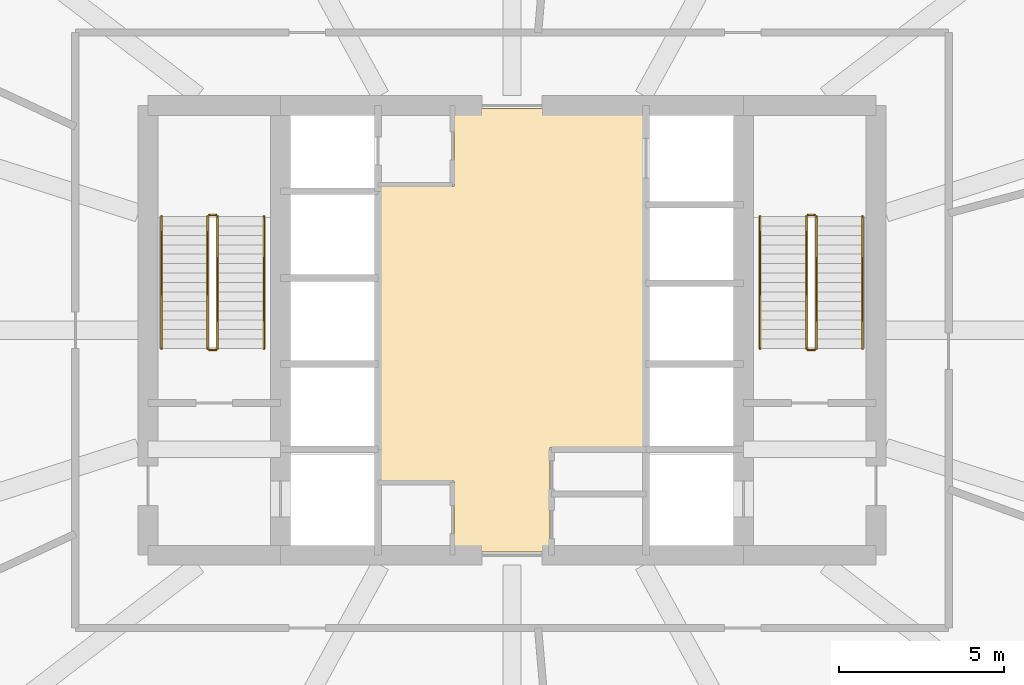
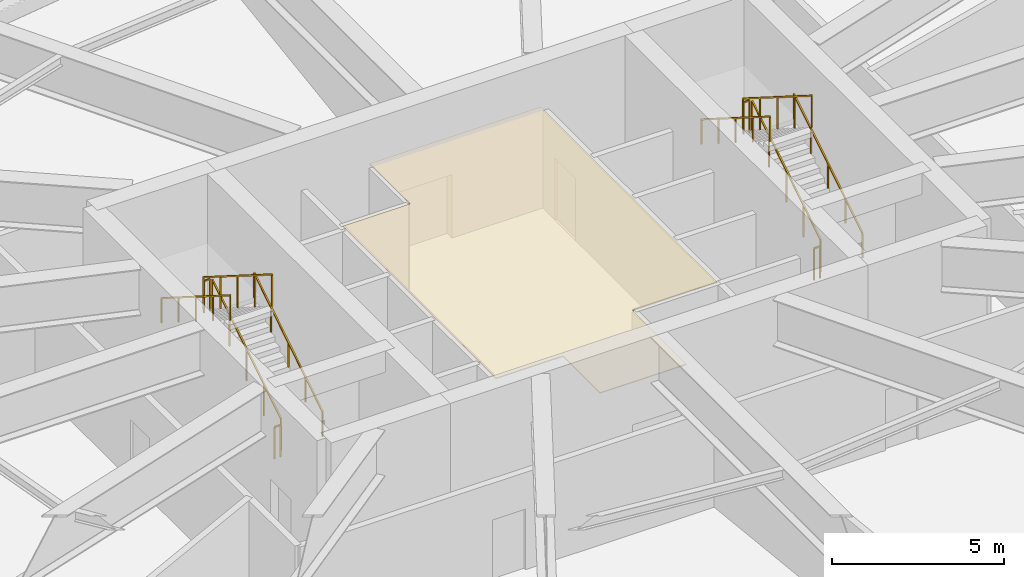
# One storey, part 7 of 7: 12 railings, 1 covering.
"""IFC4 building model written with IfcOpenShell, lengths in metres."""

from ifc_helpers import new_model, si_unit, direction, frame, origin, origin_2d, place, context, subcontext, project, spatial, polyline, rectangle, outline, extrude, material, layer, layer_set, type_object, element, save


model = new_model("IFC4")

# Units and contexts
model_context = context("Model", 3, precision=1e-05, world=origin(), true_north=direction((0.0, 1.0)))
body_context = subcontext(model_context, "Body", "Model", "MODEL_VIEW")
ifc_project = project(units=[si_unit("LENGTHUNIT", "METRE"), si_unit("AREAUNIT", "SQUARE_METRE"), si_unit("VOLUMEUNIT", "CUBIC_METRE"), si_unit("PLANEANGLEUNIT", "RADIAN"), si_unit("MASSUNIT", "GRAM", prefix="KILO")], contexts=[model_context])

# Site, building, storey
site_placement = place(None, origin())
site = spatial("IfcSite", under=ifc_project, at=site_placement, CompositionType="ELEMENT")
building_placement = place(site_placement, origin())
building = spatial("IfcBuilding", under=site, at=building_placement, Name="Sarneth Arch Tower", CompositionType="ELEMENT")
storey_placement = place(building_placement, frame((0.0, 0.0, 78.60009765625)))
storey = spatial("IfcBuildingStorey", under=building, at=storey_placement, Name="L19", CompositionType="ELEMENT", Elevation=78.60009765625)

# Covering
ifc_material_1 = material(Name="Perforated acoustic gypsum ceiling board")
ifc_layer = layer(ifc_material_1, 0.02490234375)
ifc_layer_set = layer_set([ifc_layer], Name="Perforated acoustic gypsum ceiling board")
covering_type = type_object("IfcCoveringType", Name="COV-CEIL-GYP", PredefinedType="CEILING", material=ifc_layer_set)
covering_placement = place(storey_placement, frame((0.0, 0.0, 3.419921875)))
element("IfcCovering", 1, at=covering_placement, inside=storey, type_object=covering_type, Name="L19 Lift lobby acoustic ceiling", PredefinedType="CEILING", context=body_context, shape_type="SweptSolid", body=[
    extrude(outline(polyline([(49.14990234375, 38.449951171875), (49.14990234375, 35.300048828125), (46.25, 35.300048828125), (46.25, 37.449951171875), (44.0, 37.449951171875), (44.0, 46.35009765625), (46.25, 46.35009765625), (46.25, 48.699951171875), (52.0, 48.699951171875), (52.0, 38.449951171875), (49.14990234375, 38.449951171875)])), origin(), (0.0, 0.0, 1.0), 0.030029296875),
])

# Railings
ifc_material_2 = material(Name="Brushed Stainless Steel 304 tubular handrail", Category="steel")
railing_type_1 = type_object("IfcRailingType", Name="RAIL-HANDRAIL-900", PredefinedType="HANDRAIL", material=ifc_material_2)
railing_1_placement = place(storey_placement, frame((40.5, 41.449951171875, 0.179931640625)))
element("IfcRailing", 2, at=railing_1_placement, inside=storey, type_object=railing_type_1, Name="L19 ST-1 stair handrail 1", PredefinedType="HANDRAIL", context=body_context, shape_type="SweptSolid", body=[
    extrude(rectangle(XDim=0.048095703125, YDim=0.048095703125, at=origin_2d()), frame((0.0, 0.0, 0.8759765625), z_axis=(0.0, 0.845486444383, 0.533996884227), x_axis=(-1.0, 0.0, 0.0)), (0.0, 0.0, 1.0), 4.71923828125),
    extrude(rectangle(XDim=0.0419921875, YDim=0.0419921875, at=origin_2d()), origin(), (0.0, 0.0, 1.0), 0.851806640625),
    extrude(rectangle(XDim=0.0419921875, YDim=0.0419921875, at=origin_2d()), frame((0.0, 0.99755859375, 0.6298828125)), (0.0, 0.0, 1.0), 0.851806640625),
    extrude(rectangle(XDim=0.0419921875, YDim=0.0419921875, at=origin_2d()), frame((0.0, 1.9951171875, 1.260009765625)), (0.0, 0.0, 1.0), 0.851806640625),
    extrude(rectangle(XDim=0.0419921875, YDim=0.0419921875, at=origin_2d()), frame((0.0, 2.992431640625, 1.89013671875)), (0.0, 0.0, 1.0), 0.851806640625),
    extrude(rectangle(XDim=0.0419921875, YDim=0.0419921875, at=origin_2d()), frame((0.0, 3.989990234375, 2.52001953125)), (0.0, 0.0, 1.0), 0.851806640625),
])
railing_2_placement = place(storey_placement, frame((37.39990234375, 45.43994140625, 2.8798828125)))
element("IfcRailing", 3, at=railing_2_placement, inside=storey, type_object=railing_type_1, Name="L19 ST-1 stair handrail 2", PredefinedType="HANDRAIL", context=body_context, shape_type="SweptSolid", body=[
    extrude(rectangle(XDim=0.048095703125, YDim=0.048095703125, at=origin_2d()), frame((0.0, 0.0, 0.8759765625), z_axis=(0.0, -0.845486444383, 0.533996884227), x_axis=(1.0, 0.0, 0.0)), (0.0, 0.0, 1.0), 4.71923828125),
    extrude(rectangle(XDim=0.0419921875, YDim=0.0419921875, at=origin_2d()), origin(), (0.0, 0.0, 1.0), 0.851806640625),
    extrude(rectangle(XDim=0.0419921875, YDim=0.0419921875, at=origin_2d()), frame((0.0, -0.99755859375, 0.6298828125)), (0.0, 0.0, 1.0), 0.851806640625),
    extrude(rectangle(XDim=0.0419921875, YDim=0.0419921875, at=origin_2d()), frame((0.0, -1.9951171875, 1.260009765625)), (0.0, 0.0, 1.0), 0.851806640625),
    extrude(rectangle(XDim=0.0419921875, YDim=0.0419921875, at=origin_2d()), frame((0.0, -2.992431640625, 1.89013671875)), (0.0, 0.0, 1.0), 0.851806640625),
    extrude(rectangle(XDim=0.0419921875, YDim=0.0419921875, at=origin_2d()), frame((0.0, -3.989990234375, 2.52001953125)), (0.0, 0.0, 1.0), 0.851806640625),
])
railing_3_placement = place(storey_placement, frame((58.60009765625, 41.449951171875, 0.179931640625)))
element("IfcRailing", 4, at=railing_3_placement, inside=storey, type_object=railing_type_1, Name="L19 ST-2 stair handrail 1", PredefinedType="HANDRAIL", context=body_context, shape_type="SweptSolid", body=[
    extrude(rectangle(XDim=0.048095703125, YDim=0.048095703125, at=origin_2d()), frame((0.0, 0.0, 0.8759765625), z_axis=(0.0, 0.845486444383, 0.533996884227), x_axis=(-1.0, 0.0, 0.0)), (0.0, 0.0, 1.0), 4.71923828125),
    extrude(rectangle(XDim=0.0419921875, YDim=0.0419921875, at=origin_2d()), origin(), (0.0, 0.0, 1.0), 0.851806640625),
    extrude(rectangle(XDim=0.0419921875, YDim=0.0419921875, at=origin_2d()), frame((0.0, 0.99755859375, 0.6298828125)), (0.0, 0.0, 1.0), 0.851806640625),
    extrude(rectangle(XDim=0.0419921875, YDim=0.0419921875, at=origin_2d()), frame((0.0, 1.9951171875, 1.260009765625)), (0.0, 0.0, 1.0), 0.851806640625),
    extrude(rectangle(XDim=0.0419921875, YDim=0.0419921875, at=origin_2d()), frame((0.0, 2.992431640625, 1.89013671875)), (0.0, 0.0, 1.0), 0.851806640625),
    extrude(rectangle(XDim=0.0419921875, YDim=0.0419921875, at=origin_2d()), frame((0.0, 3.989990234375, 2.52001953125)), (0.0, 0.0, 1.0), 0.851806640625),
])
railing_4_placement = place(storey_placement, frame((55.5, 45.43994140625, 2.8798828125)))
element("IfcRailing", 5, at=railing_4_placement, inside=storey, type_object=railing_type_1, Name="L19 ST-2 stair handrail 2", PredefinedType="HANDRAIL", context=body_context, shape_type="SweptSolid", body=[
    extrude(rectangle(XDim=0.048095703125, YDim=0.048095703125, at=origin_2d()), frame((0.0, 0.0, 0.8759765625), z_axis=(0.0, -0.845486444383, 0.533996884227), x_axis=(1.0, 0.0, 0.0)), (0.0, 0.0, 1.0), 4.71923828125),
    extrude(rectangle(XDim=0.0419921875, YDim=0.0419921875, at=origin_2d()), origin(), (0.0, 0.0, 1.0), 0.851806640625),
    extrude(rectangle(XDim=0.0419921875, YDim=0.0419921875, at=origin_2d()), frame((0.0, -0.99755859375, 0.6298828125)), (0.0, 0.0, 1.0), 0.851806640625),
    extrude(rectangle(XDim=0.0419921875, YDim=0.0419921875, at=origin_2d()), frame((0.0, -1.9951171875, 1.260009765625)), (0.0, 0.0, 1.0), 0.851806640625),
    extrude(rectangle(XDim=0.0419921875, YDim=0.0419921875, at=origin_2d()), frame((0.0, -2.992431640625, 1.89013671875)), (0.0, 0.0, 1.0), 0.851806640625),
    extrude(rectangle(XDim=0.0419921875, YDim=0.0419921875, at=origin_2d()), frame((0.0, -3.989990234375, 2.52001953125)), (0.0, 0.0, 1.0), 0.851806640625),
])
ifc_material_3 = material(Name="Painted Steel S275 stair well guard", Category="steel")
railing_type_2 = type_object("IfcRailingType", Name="RAIL-STAIR-GUARD", PredefinedType="GUARDRAIL", material=ifc_material_3)
railing_5_placement = place(storey_placement, frame((39.10009765625, 41.449951171875, 0.179931640625)))
element("IfcRailing", 6, at=railing_5_placement, inside=storey, type_object=railing_type_2, Name="L19 ST-1 stair guard 1", PredefinedType="GUARDRAIL", context=body_context, shape_type="SweptSolid", body=[
    extrude(rectangle(XDim=0.048095703125, YDim=0.048095703125, at=origin_2d()), frame((0.0, 0.0, 1.1259765625), z_axis=(0.0, 0.845486444383, 0.533996884227), x_axis=(-1.0, 0.0, 0.0)), (0.0, 0.0, 1.0), 4.71923828125),
    extrude(rectangle(XDim=0.0419921875, YDim=0.0419921875, at=origin_2d()), origin(), (0.0, 0.0, 1.0), 1.101806640625),
    extrude(rectangle(XDim=0.0419921875, YDim=0.0419921875, at=origin_2d()), frame((0.0, 0.99755859375, 0.6298828125)), (0.0, 0.0, 1.0), 1.101806640625),
    extrude(rectangle(XDim=0.0419921875, YDim=0.0419921875, at=origin_2d()), frame((0.0, 1.9951171875, 1.260009765625)), (0.0, 0.0, 1.0), 1.101806640625),
    extrude(rectangle(XDim=0.0419921875, YDim=0.0419921875, at=origin_2d()), frame((0.0, 2.992431640625, 1.89013671875)), (0.0, 0.0, 1.0), 1.101806640625),
    extrude(rectangle(XDim=0.0419921875, YDim=0.0419921875, at=origin_2d()), frame((0.0, 3.989990234375, 2.52001953125)), (0.0, 0.0, 1.0), 1.101806640625),
])
railing_6_placement = place(storey_placement, frame((39.050048828125, 45.489990234375, 2.699951171875)))
element("IfcRailing", 7, at=railing_6_placement, inside=storey, type_object=railing_type_2, Name="L19 ST-1 stair guard 2", PredefinedType="GUARDRAIL", context=body_context, shape_type="SweptSolid", body=[
    extrude(rectangle(XDim=0.048095703125, YDim=0.048095703125, at=origin_2d()), frame((0.0, 0.0, 1.1259765625), z_axis=(-1.0, 0.0, 0.0), x_axis=(0.0, -1.0, 0.0)), (0.0, 0.0, 1.0), 0.199951171875),
    extrude(rectangle(XDim=0.0419921875, YDim=0.0419921875, at=origin_2d()), origin(), (0.0, 0.0, 1.0), 1.101806640625),
    extrude(rectangle(XDim=0.0419921875, YDim=0.0419921875, at=origin_2d()), frame((-0.199951171875, 0.0, 0.0)), (0.0, 0.0, 1.0), 1.101806640625),
])
railing_7_placement = place(storey_placement, frame((38.800048828125, 45.43994140625, 2.8798828125)))
element("IfcRailing", 8, at=railing_7_placement, inside=storey, type_object=railing_type_2, Name="L19 ST-1 stair guard 3", PredefinedType="GUARDRAIL", context=body_context, shape_type="SweptSolid", body=[
    extrude(rectangle(XDim=0.048095703125, YDim=0.048095703125, at=origin_2d()), frame((0.0, 0.0, 1.1259765625), z_axis=(0.0, -0.845486444383, 0.533996884227), x_axis=(1.0, 0.0, 0.0)), (0.0, 0.0, 1.0), 4.71923828125),
    extrude(rectangle(XDim=0.0419921875, YDim=0.0419921875, at=origin_2d()), origin(), (0.0, 0.0, 1.0), 1.101806640625),
    extrude(rectangle(XDim=0.0419921875, YDim=0.0419921875, at=origin_2d()), frame((0.0, -0.99755859375, 0.6298828125)), (0.0, 0.0, 1.0), 1.101806640625),
    extrude(rectangle(XDim=0.0419921875, YDim=0.0419921875, at=origin_2d()), frame((0.0, -1.9951171875, 1.260009765625)), (0.0, 0.0, 1.0), 1.101806640625),
    extrude(rectangle(XDim=0.0419921875, YDim=0.0419921875, at=origin_2d()), frame((0.0, -2.992431640625, 1.89013671875)), (0.0, 0.0, 1.0), 1.101806640625),
    extrude(rectangle(XDim=0.0419921875, YDim=0.0419921875, at=origin_2d()), frame((0.0, -3.989990234375, 2.52001953125)), (0.0, 0.0, 1.0), 1.101806640625),
])
railing_8_placement = place(storey_placement, frame((39.050048828125, 41.39990234375, 0.0)))
element("IfcRailing", 9, at=railing_8_placement, inside=storey, type_object=railing_type_2, Name="L19 ST-1 stair guard 4", PredefinedType="GUARDRAIL", context=body_context, shape_type="SweptSolid", body=[
    extrude(rectangle(XDim=0.048095703125, YDim=0.048095703125, at=origin_2d()), frame((0.0, 0.0, 1.1259765625), z_axis=(-1.0, 0.0, 0.0), x_axis=(0.0, -1.0, 0.0)), (0.0, 0.0, 1.0), 0.199951171875),
    extrude(rectangle(XDim=0.0419921875, YDim=0.0419921875, at=origin_2d()), origin(), (0.0, 0.0, 1.0), 1.101806640625),
    extrude(rectangle(XDim=0.0419921875, YDim=0.0419921875, at=origin_2d()), frame((-0.199951171875, 0.0, 0.0)), (0.0, 0.0, 1.0), 1.101806640625),
])
railing_9_placement = place(storey_placement, frame((57.199951171875, 41.449951171875, 0.179931640625)))
element("IfcRailing", 10, at=railing_9_placement, inside=storey, type_object=railing_type_2, Name="L19 ST-2 stair guard 1", PredefinedType="GUARDRAIL", context=body_context, shape_type="SweptSolid", body=[
    extrude(rectangle(XDim=0.048095703125, YDim=0.048095703125, at=origin_2d()), frame((0.0, 0.0, 1.1259765625), z_axis=(0.0, 0.845486444383, 0.533996884227), x_axis=(-1.0, 0.0, 0.0)), (0.0, 0.0, 1.0), 4.71923828125),
    extrude(rectangle(XDim=0.0419921875, YDim=0.0419921875, at=origin_2d()), origin(), (0.0, 0.0, 1.0), 1.101806640625),
    extrude(rectangle(XDim=0.0419921875, YDim=0.0419921875, at=origin_2d()), frame((0.0, 0.99755859375, 0.6298828125)), (0.0, 0.0, 1.0), 1.101806640625),
    extrude(rectangle(XDim=0.0419921875, YDim=0.0419921875, at=origin_2d()), frame((0.0, 1.9951171875, 1.260009765625)), (0.0, 0.0, 1.0), 1.101806640625),
    extrude(rectangle(XDim=0.0419921875, YDim=0.0419921875, at=origin_2d()), frame((0.0, 2.992431640625, 1.89013671875)), (0.0, 0.0, 1.0), 1.101806640625),
    extrude(rectangle(XDim=0.0419921875, YDim=0.0419921875, at=origin_2d()), frame((0.0, 3.989990234375, 2.52001953125)), (0.0, 0.0, 1.0), 1.101806640625),
])
railing_10_placement = place(storey_placement, frame((57.14990234375, 45.489990234375, 2.699951171875)))
element("IfcRailing", 11, at=railing_10_placement, inside=storey, type_object=railing_type_2, Name="L19 ST-2 stair guard 2", PredefinedType="GUARDRAIL", context=body_context, shape_type="SweptSolid", body=[
    extrude(rectangle(XDim=0.048095703125, YDim=0.048095703125, at=origin_2d()), frame((0.0, 0.0, 1.1259765625), z_axis=(-1.0, 0.0, 0.0), x_axis=(0.0, -1.0, 0.0)), (0.0, 0.0, 1.0), 0.199951171875),
    extrude(rectangle(XDim=0.0419921875, YDim=0.0419921875, at=origin_2d()), origin(), (0.0, 0.0, 1.0), 1.101806640625),
    extrude(rectangle(XDim=0.0419921875, YDim=0.0419921875, at=origin_2d()), frame((-0.199951171875, 0.0, 0.0)), (0.0, 0.0, 1.0), 1.101806640625),
])
railing_11_placement = place(storey_placement, frame((56.89990234375, 45.43994140625, 2.8798828125)))
element("IfcRailing", 12, at=railing_11_placement, inside=storey, type_object=railing_type_2, Name="L19 ST-2 stair guard 3", PredefinedType="GUARDRAIL", context=body_context, shape_type="SweptSolid", body=[
    extrude(rectangle(XDim=0.048095703125, YDim=0.048095703125, at=origin_2d()), frame((0.0, 0.0, 1.1259765625), z_axis=(0.0, -0.845486444383, 0.533996884227), x_axis=(1.0, 0.0, 0.0)), (0.0, 0.0, 1.0), 4.71923828125),
    extrude(rectangle(XDim=0.0419921875, YDim=0.0419921875, at=origin_2d()), origin(), (0.0, 0.0, 1.0), 1.101806640625),
    extrude(rectangle(XDim=0.0419921875, YDim=0.0419921875, at=origin_2d()), frame((0.0, -0.99755859375, 0.6298828125)), (0.0, 0.0, 1.0), 1.101806640625),
    extrude(rectangle(XDim=0.0419921875, YDim=0.0419921875, at=origin_2d()), frame((0.0, -1.9951171875, 1.260009765625)), (0.0, 0.0, 1.0), 1.101806640625),
    extrude(rectangle(XDim=0.0419921875, YDim=0.0419921875, at=origin_2d()), frame((0.0, -2.992431640625, 1.89013671875)), (0.0, 0.0, 1.0), 1.101806640625),
    extrude(rectangle(XDim=0.0419921875, YDim=0.0419921875, at=origin_2d()), frame((0.0, -3.989990234375, 2.52001953125)), (0.0, 0.0, 1.0), 1.101806640625),
])
railing_12_placement = place(storey_placement, frame((57.14990234375, 41.39990234375, 0.0)))
element("IfcRailing", 13, at=railing_12_placement, inside=storey, type_object=railing_type_2, Name="L19 ST-2 stair guard 4", PredefinedType="GUARDRAIL", context=body_context, shape_type="SweptSolid", body=[
    extrude(rectangle(XDim=0.048095703125, YDim=0.048095703125, at=origin_2d()), frame((0.0, 0.0, 1.1259765625), z_axis=(-1.0, 0.0, 0.0), x_axis=(0.0, -1.0, 0.0)), (0.0, 0.0, 1.0), 0.199951171875),
    extrude(rectangle(XDim=0.0419921875, YDim=0.0419921875, at=origin_2d()), origin(), (0.0, 0.0, 1.0), 1.101806640625),
    extrude(rectangle(XDim=0.0419921875, YDim=0.0419921875, at=origin_2d()), frame((-0.199951171875, 0.0, 0.0)), (0.0, 0.0, 1.0), 1.101806640625),
])

save(model, "model.ifc")
